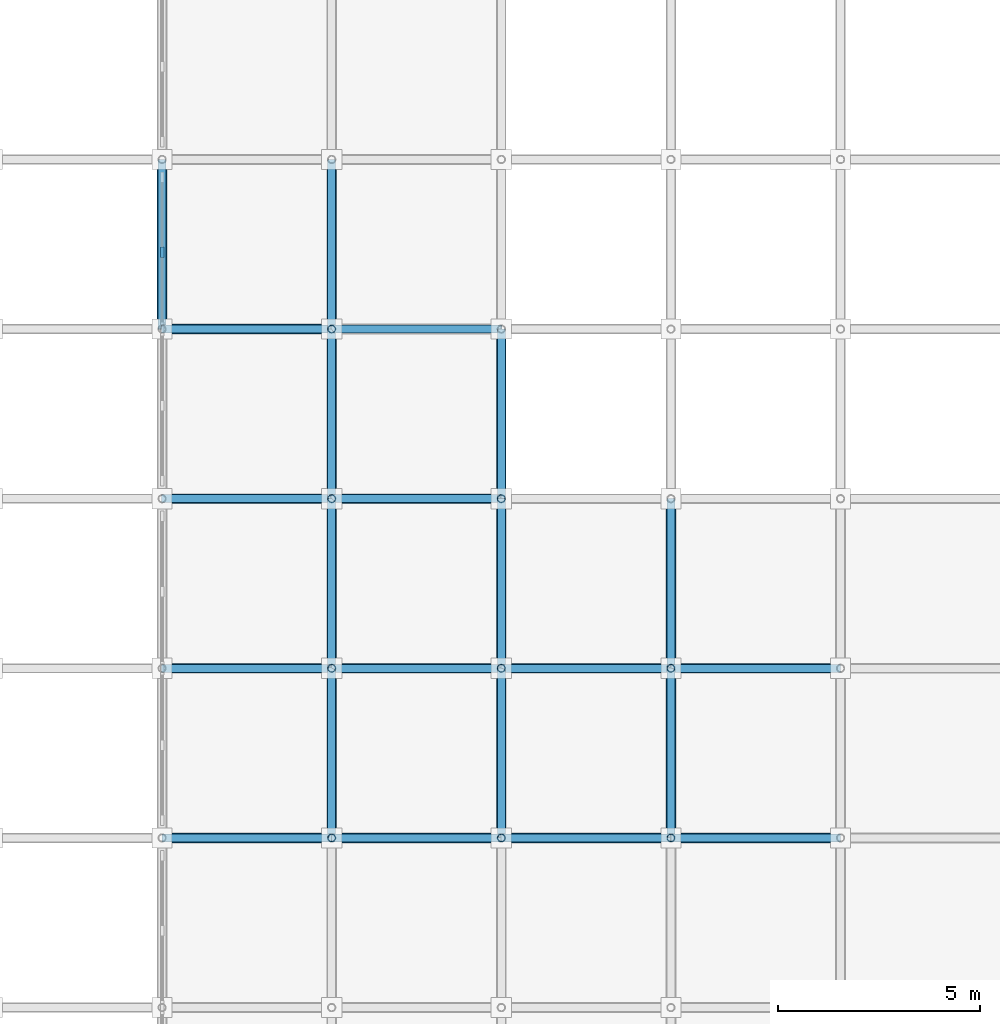
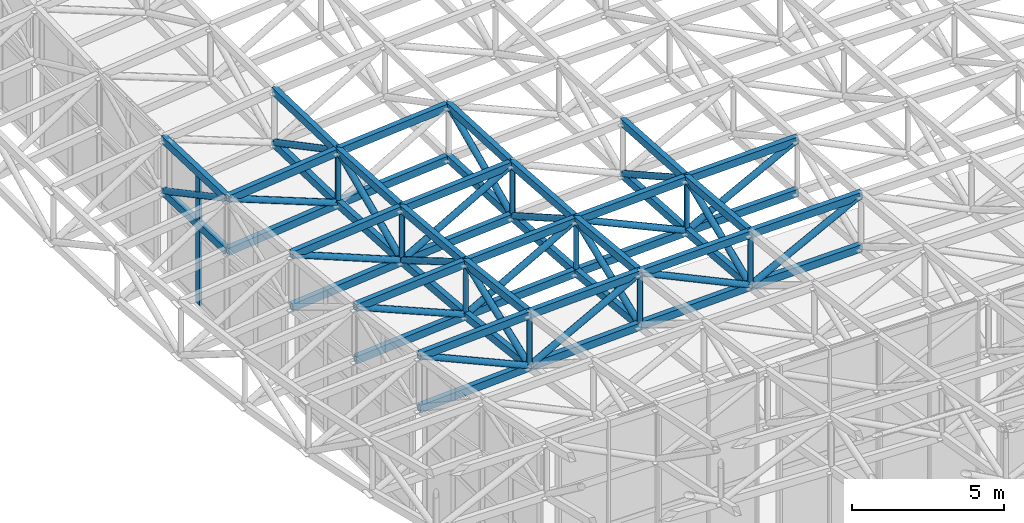
# One storey, part 30 of 123: 75 members, 1 element without a shape of its own.
"""IFC4 building model written with IfcOpenShell, lengths in metres."""

from ifc_helpers import new_model, si_unit, direction, frame, origin, origin_2d, place, context, subcontext, project, spatial, rectangle, hollow_rectangle, hollow_circle, extrude, material, material_profile, profile_set, type_object, element, aggregate, save


model = new_model("IFC4")

# Units and contexts
model_context = context("Model", 3, precision=1e-05, world=origin(), true_north=direction((0.0, 1.0)))
body_context = subcontext(model_context, "Body", "Model", "MODEL_VIEW")
ifc_project = project(units=[si_unit("LENGTHUNIT", "METRE"), si_unit("AREAUNIT", "SQUARE_METRE"), si_unit("VOLUMEUNIT", "CUBIC_METRE"), si_unit("PLANEANGLEUNIT", "RADIAN"), si_unit("MASSUNIT", "GRAM", prefix="KILO")], contexts=[model_context])

# Site, building, storey
site_placement = place(None, origin())
site = spatial("IfcSite", under=ifc_project, at=site_placement, CompositionType="ELEMENT")
building_placement = place(site_placement, origin())
building = spatial("IfcBuilding", under=site, at=building_placement, Name="Cumbredor Promenade Congress Hotel", CompositionType="ELEMENT")
storey_placement = place(building_placement, frame((0.0, 0.0, 11.760009765625)))
storey = spatial("IfcBuildingStorey", under=building, at=storey_placement, Name="L03", CompositionType="ELEMENT", Elevation=11.760009765625)

# Members
ifc_material_1 = material(Name="Steel ASTM A500 Grade C", Category="steel")
ifc_material_profile_1 = material_profile(ifc_material_1, hollow_rectangle(XDim=0.199951171875, YDim=0.300048828125, WallThickness=0.012451171875, at=origin_2d()), Name="HSS 300x200x12.5")
ifc_profile_set_1 = profile_set([ifc_material_profile_1], Name="Steel ASTM A500 Grade C")
member_type_1 = type_object("IfcMemberType", Name="Ballroom Roof Space Frame Chord", PredefinedType="CHORD", material=ifc_profile_set_1)
for number, where, z_axis, x_axis, name in (
    (1, (142.800048828125, 16.800048828125, 6.69189453125), (0.998569958899, 0.0, 0.05346061339), (0.0, 1.0, 0.0), "Grand Ballroom Pavilion X Top Chord 2.5"),
    (2, (142.800048828125, 16.800048828125, 4.592041015625), (0.998573055983, 0.0, 0.05340273275), (0.0, 1.0, 0.0), "Grand Ballroom Pavilion X Bottom Chord 2.5"),
):
    element("IfcMember", number, at=place(storey_placement, frame(where, z_axis=z_axis, x_axis=x_axis)), inside=storey, type_object=member_type_1, Name=name, PredefinedType="CHORD", context=body_context, shape_type="SweptSolid", body=[
        extrude(hollow_rectangle(XDim=0.199951171875, YDim=0.300048828125, WallThickness=0.012451171875, at=origin_2d()), origin(), (0.0, 0.0, 1.0), 4.2060546875),
    ])
for number, where, z_axis, x_axis, name in (
    (3, (147.0, 16.800048828125, 6.916748046875), (0.999137395956, 0.0, 0.041526666169), (0.0, 1.0, 0.0), "Grand Ballroom Pavilion X Top Chord 3.5"),
    (4, (147.0, 16.800048828125, 4.816650390625), (0.999137395956, 0.0, 0.041526666169), (0.0, 1.0, 0.0), "Grand Ballroom Pavilion X Bottom Chord 3.5"),
):
    element("IfcMember", number, at=place(storey_placement, frame(where, z_axis=z_axis, x_axis=x_axis)), inside=storey, type_object=member_type_1, Name=name, PredefinedType="CHORD", context=body_context, shape_type="SweptSolid", body=[
        extrude(hollow_rectangle(XDim=0.199951171875, YDim=0.300048828125, WallThickness=0.012451171875, at=origin_2d()), origin(), (0.0, 0.0, 1.0), 4.20361328125),
    ])
for number, where, z_axis, x_axis, name in (
    (5, (151.199951171875, 16.800048828125, 7.09130859375), (0.999560847032, 0.0, 0.029632972853), (0.0, 1.0, 0.0), "Grand Ballroom Pavilion X Top Chord 4.5"),
    (6, (151.199951171875, 16.800048828125, 4.9912109375), (0.999560847032, 0.0, 0.029632972853), (0.0, 1.0, 0.0), "Grand Ballroom Pavilion X Bottom Chord 4.5"),
):
    element("IfcMember", number, at=place(storey_placement, frame(where, z_axis=z_axis, x_axis=x_axis)), inside=storey, type_object=member_type_1, Name=name, PredefinedType="CHORD", context=body_context, shape_type="SweptSolid", body=[
        extrude(hollow_rectangle(XDim=0.199951171875, YDim=0.300048828125, WallThickness=0.012451171875, at=origin_2d()), origin(), (0.0, 0.0, 1.0), 4.201904296875),
    ])
for number, where, z_axis, x_axis, name in (
    (7, (155.39990234375, 16.800048828125, 7.2158203125), (0.999841856641, 0.0, 0.017783748438), (0.0, 1.0, 0.0), "Grand Ballroom Pavilion X Top Chord 5.5"),
    (8, (155.39990234375, 16.800048828125, 5.11572265625), (0.999840821583, 0.0, 0.017841846793), (0.0, 1.0, 0.0), "Grand Ballroom Pavilion X Bottom Chord 5.5"),
):
    element("IfcMember", number, at=place(storey_placement, frame(where, z_axis=z_axis, x_axis=x_axis)), inside=storey, type_object=member_type_1, Name=name, PredefinedType="CHORD", context=body_context, shape_type="SweptSolid", body=[
        extrude(hollow_rectangle(XDim=0.199951171875, YDim=0.300048828125, WallThickness=0.012451171875, at=origin_2d()), origin(), (0.0, 0.0, 1.0), 4.200927734375),
    ])
for number, where, z_axis, x_axis, name in (
    (9, (142.800048828125, 21.0, 6.106689453125), (0.997042541012, 0.0, 0.076851619449), (0.0, 1.0, 0.0), "Grand Ballroom Pavilion X Top Chord 2.6"),
    (10, (142.800048828125, 21.0, 4.006591796875), (0.997042541012, 0.0, 0.076851619449), (0.0, 1.0, 0.0), "Grand Ballroom Pavilion X Bottom Chord 2.6"),
):
    element("IfcMember", number, at=place(storey_placement, frame(where, z_axis=z_axis, x_axis=x_axis)), inside=storey, type_object=member_type_1, Name=name, PredefinedType="CHORD", context=body_context, shape_type="SweptSolid", body=[
        extrude(hollow_rectangle(XDim=0.199951171875, YDim=0.300048828125, WallThickness=0.012451171875, at=origin_2d()), origin(), (0.0, 0.0, 1.0), 4.21240234375),
    ])
for number, where, z_axis, x_axis, name in (
    (11, (147.0, 21.0, 6.430419921875), (0.998208936588, 0.0, 0.059824066362), (0.0, 1.0, 0.0), "Grand Ballroom Pavilion X Top Chord 3.6"),
    (12, (147.0, 21.0, 4.330322265625), (0.998205469834, 0.0, 0.059881883675), (0.0, 1.0, 0.0), "Grand Ballroom Pavilion X Bottom Chord 3.6"),
):
    element("IfcMember", number, at=place(storey_placement, frame(where, z_axis=z_axis, x_axis=x_axis)), inside=storey, type_object=member_type_1, Name=name, PredefinedType="CHORD", context=body_context, shape_type="SweptSolid", body=[
        extrude(hollow_rectangle(XDim=0.199951171875, YDim=0.300048828125, WallThickness=0.012451171875, at=origin_2d()), origin(), (0.0, 0.0, 1.0), 4.20751953125),
    ])
for number, where, z_axis, x_axis, name in (
    (13, (151.199951171875, 21.0, 6.68212890625), (0.999083570035, 0.0, 0.042802103768), (0.0, 1.0, 0.0), "Grand Ballroom Pavilion X Top Chord 4.6"),
    (14, (151.199951171875, 21.0, 4.582275390625), (0.999086051861, 0.0, 0.042744133824), (0.0, 1.0, 0.0), "Grand Ballroom Pavilion X Bottom Chord 4.6"),
):
    element("IfcMember", number, at=place(storey_placement, frame(where, z_axis=z_axis, x_axis=x_axis)), inside=storey, type_object=member_type_1, Name=name, PredefinedType="CHORD", context=body_context, shape_type="SweptSolid", body=[
        extrude(hollow_rectangle(XDim=0.199951171875, YDim=0.300048828125, WallThickness=0.012451171875, at=origin_2d()), origin(), (0.0, 0.0, 1.0), 4.203857421875),
    ])
for number, where, z_axis, x_axis, name in (
    (15, (155.39990234375, 21.0, 6.862060546875), (0.999670131577, 0.0, 0.025683224724), (0.0, 1.0, 0.0), "Grand Ballroom Pavilion X Top Chord 5.6"),
    (16, (155.39990234375, 21.0, 4.761962890625), (0.999670131577, 0.0, 0.025683224724), (0.0, 1.0, 0.0), "Grand Ballroom Pavilion X Bottom Chord 5.6"),
):
    element("IfcMember", number, at=place(storey_placement, frame(where, z_axis=z_axis, x_axis=x_axis)), inside=storey, type_object=member_type_1, Name=name, PredefinedType="CHORD", context=body_context, shape_type="SweptSolid", body=[
        extrude(hollow_rectangle(XDim=0.199951171875, YDim=0.300048828125, WallThickness=0.012451171875, at=origin_2d()), origin(), (0.0, 0.0, 1.0), 4.20166015625),
    ])
for number, where, z_axis, x_axis, name in (
    (17, (142.800048828125, 25.199951171875, 5.66748046875), (0.995535696454, 0.0, 0.094385788579), (0.0, 1.0, 0.0), "Grand Ballroom Pavilion X Top Chord 2.7"),
    (18, (142.800048828125, 25.199951171875, 3.5673828125), (0.995535696454, 0.0, 0.094385788579), (0.0, 1.0, 0.0), "Grand Ballroom Pavilion X Bottom Chord 2.7"),
):
    element("IfcMember", number, at=place(storey_placement, frame(where, z_axis=z_axis, x_axis=x_axis)), inside=storey, type_object=member_type_1, Name=name, PredefinedType="CHORD", context=body_context, shape_type="SweptSolid", body=[
        extrude(hollow_rectangle(XDim=0.199951171875, YDim=0.300048828125, WallThickness=0.012451171875, at=origin_2d()), origin(), (0.0, 0.0, 1.0), 4.21875),
    ])
for number, where, z_axis, x_axis, name in (
    (19, (147.0, 25.199951171875, 6.065673828125), (0.997290327023, 0.0, 0.073566321281), (0.0, 1.0, 0.0), "Grand Ballroom Pavilion X Top Chord 3.7"),
    (20, (147.0, 25.199951171875, 3.965576171875), (0.997290327023, 0.0, 0.073566321281), (0.0, 1.0, 0.0), "Grand Ballroom Pavilion X Bottom Chord 3.7"),
):
    element("IfcMember", number, at=place(storey_placement, frame(where, z_axis=z_axis, x_axis=x_axis)), inside=storey, type_object=member_type_1, Name=name, PredefinedType="CHORD", context=body_context, shape_type="SweptSolid", body=[
        extrude(hollow_rectangle(XDim=0.199951171875, YDim=0.300048828125, WallThickness=0.012451171875, at=origin_2d()), origin(), (0.0, 0.0, 1.0), 4.21142578125),
    ])
for number, where, z_axis, x_axis, name in (
    (21, (142.800048828125, 29.39990234375, 5.37451171875), (0.99435911927, 0.0, 0.106065743409), (0.0, 1.0, 0.0), "Grand Ballroom Pavilion X Top Chord 2.8"),
    (22, (142.800048828125, 29.39990234375, 3.274658203125), (0.99435911927, 0.0, 0.106065743409), (0.0, 1.0, 0.0), "Grand Ballroom Pavilion X Bottom Chord 2.8"),
):
    element("IfcMember", number, at=place(storey_placement, frame(where, z_axis=z_axis, x_axis=x_axis)), inside=storey, type_object=member_type_1, Name=name, PredefinedType="CHORD", context=body_context, shape_type="SweptSolid", body=[
        extrude(hollow_rectangle(XDim=0.199951171875, YDim=0.300048828125, WallThickness=0.012451171875, at=origin_2d()), origin(), (0.0, 0.0, 1.0), 4.223876953125),
    ])
for number, where, z_axis, x_axis, name in (
    (23, (147.0, 29.39990234375, 5.822509765625), (0.996577248371, 0.0, 0.082666728677), (0.0, 1.0, 0.0), "Grand Ballroom Pavilion X Top Chord 3.8"),
    (24, (147.0, 29.39990234375, 3.72265625), (0.996582019261, 0.0, 0.082609193714), (0.0, 1.0, 0.0), "Grand Ballroom Pavilion X Bottom Chord 3.8"),
):
    element("IfcMember", number, at=place(storey_placement, frame(where, z_axis=z_axis, x_axis=x_axis)), inside=storey, type_object=member_type_1, Name=name, PredefinedType="CHORD", context=body_context, shape_type="SweptSolid", body=[
        extrude(hollow_rectangle(XDim=0.199951171875, YDim=0.300048828125, WallThickness=0.012451171875, at=origin_2d()), origin(), (0.0, 0.0, 1.0), 4.21435546875),
    ])
for number, where, z_axis, x_axis, name in (
    (25, (142.800048828125, 29.39990234375, 5.37451171875), (0.0, 0.999394421925, -0.034796399601), (-1.0, 0.0, 0.0), "Grand Ballroom Pavilion Y Top Chord 2.8"),
    (26, (142.800048828125, 29.39990234375, 3.274658203125), (0.0, 0.999392400118, -0.034854419906), (-1.0, 0.0, 0.0), "Grand Ballroom Pavilion Y Bottom Chord 2.8"),
):
    element("IfcMember", number, at=place(storey_placement, frame(where, z_axis=z_axis, x_axis=x_axis)), inside=storey, type_object=member_type_1, Name=name, PredefinedType="CHORD", context=body_context, shape_type="SweptSolid", body=[
        extrude(hollow_rectangle(XDim=0.199951171875, YDim=0.300048828125, WallThickness=0.012451171875, at=origin_2d()), origin(), (0.0, 0.0, 1.0), 4.20263671875),
    ])
for number, where, z_axis, x_axis, name in (
    (27, (147.0, 16.800048828125, 6.916748046875), (0.0, 0.993362575752, -0.115025184613), (-1.0, 0.0, 0.0), "Grand Ballroom Pavilion Y Top Chord 3.5"),
    (28, (147.0, 16.800048828125, 4.816650390625), (0.0, 0.993362575752, -0.115025184613), (-1.0, 0.0, 0.0), "Grand Ballroom Pavilion Y Bottom Chord 3.5"),
):
    element("IfcMember", number, at=place(storey_placement, frame(where, z_axis=z_axis, x_axis=x_axis)), inside=storey, type_object=member_type_1, Name=name, PredefinedType="CHORD", context=body_context, shape_type="SweptSolid", body=[
        extrude(hollow_rectangle(XDim=0.199951171875, YDim=0.300048828125, WallThickness=0.012451171875, at=origin_2d()), origin(), (0.0, 0.0, 1.0), 4.22802734375),
    ])
for number, where, z_axis, x_axis, name in (
    (29, (147.0, 21.0, 6.430419921875), (0.0, 0.996250143488, -0.086519660197), (-1.0, 0.0, 0.0), "Grand Ballroom Pavilion Y Top Chord 3.6"),
    (30, (147.0, 21.0, 4.330322265625), (0.0, 0.996250143488, -0.086519660197), (-1.0, 0.0, 0.0), "Grand Ballroom Pavilion Y Bottom Chord 3.6"),
):
    element("IfcMember", number, at=place(storey_placement, frame(where, z_axis=z_axis, x_axis=x_axis)), inside=storey, type_object=member_type_1, Name=name, PredefinedType="CHORD", context=body_context, shape_type="SweptSolid", body=[
        extrude(hollow_rectangle(XDim=0.199951171875, YDim=0.300048828125, WallThickness=0.012451171875, at=origin_2d()), origin(), (0.0, 0.0, 1.0), 4.2158203125),
    ])
for number, where, z_axis, x_axis, name in (
    (31, (147.0, 25.199951171875, 6.065673828125), (0.0, 0.998328177583, -0.057800085152), (-1.0, 0.0, 0.0), "Grand Ballroom Pavilion Y Top Chord 3.7"),
    (32, (147.0, 25.199951171875, 3.965576171875), (0.0, 0.998331524578, -0.057742246524), (-1.0, 0.0, 0.0), "Grand Ballroom Pavilion Y Bottom Chord 3.7"),
):
    element("IfcMember", number, at=place(storey_placement, frame(where, z_axis=z_axis, x_axis=x_axis)), inside=storey, type_object=member_type_1, Name=name, PredefinedType="CHORD", context=body_context, shape_type="SweptSolid", body=[
        extrude(hollow_rectangle(XDim=0.199951171875, YDim=0.300048828125, WallThickness=0.012451171875, at=origin_2d()), origin(), (0.0, 0.0, 1.0), 4.20703125),
    ])
for number, where, z_axis, x_axis, name in (
    (33, (147.0, 29.39990234375, 5.822509765625), (0.0, 0.99958298451, -0.028876583545), (-1.0, 0.0, 0.0), "Grand Ballroom Pavilion Y Top Chord 3.8"),
    (34, (147.0, 29.39990234375, 3.72265625), (0.0, 0.999581305746, -0.028934636728), (-1.0, 0.0, 0.0), "Grand Ballroom Pavilion Y Bottom Chord 3.8"),
):
    element("IfcMember", number, at=place(storey_placement, frame(where, z_axis=z_axis, x_axis=x_axis)), inside=storey, type_object=member_type_1, Name=name, PredefinedType="CHORD", context=body_context, shape_type="SweptSolid", body=[
        extrude(hollow_rectangle(XDim=0.199951171875, YDim=0.300048828125, WallThickness=0.012451171875, at=origin_2d()), origin(), (0.0, 0.0, 1.0), 4.201904296875),
    ])
for number, where, z_axis, x_axis, name in (
    (35, (151.199951171875, 16.800048828125, 7.09130859375), (0.0, 0.995287716513, -0.09696577416), (-1.0, 0.0, 0.0), "Grand Ballroom Pavilion Y Top Chord 4.5"),
    (36, (151.199951171875, 16.800048828125, 4.9912109375), (0.0, 0.995293298459, -0.096908462182), (-1.0, 0.0, 0.0), "Grand Ballroom Pavilion Y Bottom Chord 4.5"),
):
    element("IfcMember", number, at=place(storey_placement, frame(where, z_axis=z_axis, x_axis=x_axis)), inside=storey, type_object=member_type_1, Name=name, PredefinedType="CHORD", context=body_context, shape_type="SweptSolid", body=[
        extrude(hollow_rectangle(XDim=0.199951171875, YDim=0.300048828125, WallThickness=0.012451171875, at=origin_2d()), origin(), (0.0, 0.0, 1.0), 4.2197265625),
    ])
for number, where, z_axis, x_axis, name in (
    (37, (151.199951171875, 21.0, 6.68212890625), (0.0, 0.997345340249, -0.072816703328), (-1.0, 0.0, 0.0), "Grand Ballroom Pavilion Y Top Chord 4.6"),
    (38, (151.199951171875, 21.0, 4.582275390625), (0.0, 0.997341128252, -0.072874370645), (-1.0, 0.0, 0.0), "Grand Ballroom Pavilion Y Bottom Chord 4.6"),
):
    element("IfcMember", number, at=place(storey_placement, frame(where, z_axis=z_axis, x_axis=x_axis)), inside=storey, type_object=member_type_1, Name=name, PredefinedType="CHORD", context=body_context, shape_type="SweptSolid", body=[
        extrude(hollow_rectangle(XDim=0.199951171875, YDim=0.300048828125, WallThickness=0.012451171875, at=origin_2d()), origin(), (0.0, 0.0, 1.0), 4.211181640625),
    ])
for number, where, z_axis, x_axis, name in (
    (39, (151.199951171875, 25.199951171875, 6.37548828125), (0.0, 0.998815656724, -0.048654741634), (-1.0, 0.0, 0.0), "Grand Ballroom Pavilion Y Top Chord 4.7"),
    (40, (151.199951171875, 25.199951171875, 4.275390625), (0.0, 0.998815656724, -0.048654741634), (-1.0, 0.0, 0.0), "Grand Ballroom Pavilion Y Bottom Chord 4.7"),
):
    element("IfcMember", number, at=place(storey_placement, frame(where, z_axis=z_axis, x_axis=x_axis)), inside=storey, type_object=member_type_1, Name=name, PredefinedType="CHORD", context=body_context, shape_type="SweptSolid", body=[
        extrude(hollow_rectangle(XDim=0.199951171875, YDim=0.300048828125, WallThickness=0.012451171875, at=origin_2d()), origin(), (0.0, 0.0, 1.0), 4.204833984375),
    ])
for number, where, z_axis, x_axis, name in (
    (41, (155.39990234375, 16.800048828125, 7.2158203125), (0.0, 0.996471460241, -0.083932287734), (-1.0, 0.0, 0.0), "Grand Ballroom Pavilion Y Top Chord 5.5"),
    (42, (155.39990234375, 16.800048828125, 5.11572265625), (0.0, 0.996471460241, -0.083932287734), (-1.0, 0.0, 0.0), "Grand Ballroom Pavilion Y Bottom Chord 5.5"),
):
    element("IfcMember", number, at=place(storey_placement, frame(where, z_axis=z_axis, x_axis=x_axis)), inside=storey, type_object=member_type_1, Name=name, PredefinedType="CHORD", context=body_context, shape_type="SweptSolid", body=[
        extrude(hollow_rectangle(XDim=0.199951171875, YDim=0.300048828125, WallThickness=0.012451171875, at=origin_2d()), origin(), (0.0, 0.0, 1.0), 4.21484375),
    ])
for number, where, z_axis, x_axis, name in (
    (43, (155.39990234375, 21.0, 6.862060546875), (0.0, 0.998009681271, -0.063060891911), (-1.0, 0.0, 0.0), "Grand Ballroom Pavilion Y Top Chord 5.6"),
    (44, (155.39990234375, 21.0, 4.761962890625), (0.0, 0.998009681271, -0.063060891911), (-1.0, 0.0, 0.0), "Grand Ballroom Pavilion Y Bottom Chord 5.6"),
):
    element("IfcMember", number, at=place(storey_placement, frame(where, z_axis=z_axis, x_axis=x_axis)), inside=storey, type_object=member_type_1, Name=name, PredefinedType="CHORD", context=body_context, shape_type="SweptSolid", body=[
        extrude(hollow_rectangle(XDim=0.199951171875, YDim=0.300048828125, WallThickness=0.012451171875, at=origin_2d()), origin(), (0.0, 0.0, 1.0), 4.208251953125),
    ])

# Curtain wall, member
ifc_material_2 = material(Name="Thermally broken anodized aluminium and low-E glass", Category="aluminium")
curtain_wall_type = type_object("IfcCurtainWallType", Name="Stepped Pavilion Clerestory Curtain Wall CW-06", PredefinedType="NOTDEFINED", material=ifc_material_2)
curtain_wall_placement = place(storey_placement, origin())
curtain_wall = element("IfcCurtainWall", 45, at=curtain_wall_placement, inside=storey, type_object=curtain_wall_type, Name="Grand Ballroom Pavilion W Glazed Clerestory 6", PredefinedType="NOTDEFINED")
ifc_material_3 = material(Name="Thermally broken anodized aluminium", Category="aluminium")
ifc_material_profile_2 = material_profile(ifc_material_3, rectangle(XDim=0.0849609375, YDim=0.260009765625, at=origin_2d()), Name="ALU MULLION CLERESTORY 85x260")
ifc_profile_set_2 = profile_set([ifc_material_profile_2], Name="Thermally broken anodized aluminium")
member_type_2 = type_object("IfcMemberType", Name="Curtain Wall Mullion ML-04", PredefinedType="MULLION", material=ifc_profile_set_2)
member_1_placement = place(storey_placement, frame((142.800048828125, 31.300048828125, -0.01806640625), z_axis=(0.0, 0.0, 1.0), x_axis=(1.0, 0.0, 0.0)))
member_1 = element("IfcMember", 46, at=member_1_placement, type_object=member_type_2, Name="Grand Ballroom Pavilion W Glazed Clerestory 6 Mullion 2", PredefinedType="MULLION", context=body_context, shape_type="SweptSolid", body=[
    extrude(rectangle(XDim=0.0849609375, YDim=0.260009765625, at=origin_2d()), origin(), (0.0, 0.0, 1.0), 5.42236328125),
])
aggregate(curtain_wall, [member_1])

# Members
ifc_material_profile_3 = material_profile(ifc_material_1, hollow_circle(Radius=0.122314453125, WallThickness=0.012451171875, at=origin_2d()), Name="CHS 244.5x12.5")
ifc_profile_set_3 = profile_set([ifc_material_profile_3], Name="Steel ASTM A500 Grade C")
member_type_3 = type_object("IfcMemberType", Name="Space Frame Web Diagonal D2", PredefinedType="BRACE", material=ifc_profile_set_3)
member_2_placement = place(storey_placement, frame((142.800048828125, 16.800048828125, 6.69189453125), z_axis=(0.913116358877, 0.0, -0.407699049732), x_axis=(0.0, 1.0, 0.0)))
element("IfcMember", 47, at=member_2_placement, inside=storey, type_object=member_type_3, Name="Grand Ballroom Pavilion X Web Diagonal 2.5", PredefinedType="BRACE", context=body_context, shape_type="SweptSolid", body=[
    extrude(hollow_circle(Radius=0.122314453125, WallThickness=0.012451171875, at=origin_2d()), origin(), (0.0, 0.0, 1.0), 4.599609375),
])
member_3_placement = place(storey_placement, frame((147.0, 16.800048828125, 4.816650390625), z_axis=(0.879319614814, 0.0, 0.47623210203), x_axis=(0.0, 1.0, 0.0)))
element("IfcMember", 48, at=member_3_placement, inside=storey, type_object=member_type_3, Name="Grand Ballroom Pavilion X Web Diagonal 3.5", PredefinedType="BRACE", context=body_context, shape_type="SweptSolid", body=[
    extrude(hollow_circle(Radius=0.122314453125, WallThickness=0.012451171875, at=origin_2d()), origin(), (0.0, 0.0, 1.0), 4.7763671875),
])
member_4_placement = place(storey_placement, frame((151.199951171875, 16.800048828125, 7.09130859375), z_axis=(0.904890214496, 0.0, -0.425645039569), x_axis=(0.0, 1.0, 0.0)))
element("IfcMember", 49, at=member_4_placement, inside=storey, type_object=member_type_3, Name="Grand Ballroom Pavilion X Web Diagonal 4.5", PredefinedType="BRACE", context=body_context, shape_type="SweptSolid", body=[
    extrude(hollow_circle(Radius=0.122314453125, WallThickness=0.012451171875, at=origin_2d()), origin(), (0.0, 0.0, 1.0), 4.641357421875),
])
member_5_placement = place(storey_placement, frame((155.39990234375, 16.800048828125, 5.11572265625), z_axis=(0.888020002283, 0.0, 0.459804823317), x_axis=(0.0, 1.0, 0.0)))
element("IfcMember", 50, at=member_5_placement, inside=storey, type_object=member_type_3, Name="Grand Ballroom Pavilion X Web Diagonal 5.5", PredefinedType="BRACE", context=body_context, shape_type="SweptSolid", body=[
    extrude(hollow_circle(Radius=0.122314453125, WallThickness=0.012451171875, at=origin_2d()), origin(), (0.0, 0.0, 1.0), 4.729736328125),
])
member_6_placement = place(storey_placement, frame((142.800048828125, 21.0, 6.106689453125), z_axis=(0.921009363818, 0.0, -0.389540436618), x_axis=(0.0, 1.0, 0.0)))
element("IfcMember", 51, at=member_6_placement, inside=storey, type_object=member_type_3, Name="Grand Ballroom Pavilion X Web Diagonal 2.6", PredefinedType="BRACE", context=body_context, shape_type="SweptSolid", body=[
    extrude(hollow_circle(Radius=0.122314453125, WallThickness=0.012451171875, at=origin_2d()), origin(), (0.0, 0.0, 1.0), 4.56005859375),
])
member_7_placement = place(storey_placement, frame((147.0, 21.0, 4.330322265625), z_axis=(0.872520718534, 0.0, 0.48857711339), x_axis=(0.0, 1.0, 0.0)))
element("IfcMember", 52, at=member_7_placement, inside=storey, type_object=member_type_3, Name="Grand Ballroom Pavilion X Web Diagonal 3.6", PredefinedType="BRACE", context=body_context, shape_type="SweptSolid", body=[
    extrude(hollow_circle(Radius=0.122314453125, WallThickness=0.012451171875, at=origin_2d()), origin(), (0.0, 0.0, 1.0), 4.8134765625),
])
member_8_placement = place(storey_placement, frame((151.199951171875, 21.0, 6.68212890625), z_axis=(0.909459054134, 0.0, -0.41579349304), x_axis=(0.0, 1.0, 0.0)))
element("IfcMember", 53, at=member_8_placement, inside=storey, type_object=member_type_3, Name="Grand Ballroom Pavilion X Web Diagonal 4.6", PredefinedType="BRACE", context=body_context, shape_type="SweptSolid", body=[
    extrude(hollow_circle(Radius=0.122314453125, WallThickness=0.012451171875, at=origin_2d()), origin(), (0.0, 0.0, 1.0), 4.6181640625),
])
member_9_placement = place(storey_placement, frame((155.39990234375, 21.0, 4.761962890625), z_axis=(0.885145791269, 0.0, 0.46531379541), x_axis=(0.0, 1.0, 0.0)))
element("IfcMember", 54, at=member_9_placement, inside=storey, type_object=member_type_3, Name="Grand Ballroom Pavilion X Web Diagonal 5.6", PredefinedType="BRACE", context=body_context, shape_type="SweptSolid", body=[
    extrude(hollow_circle(Radius=0.122314453125, WallThickness=0.012451171875, at=origin_2d()), origin(), (0.0, 0.0, 1.0), 4.7451171875),
])
member_10_placement = place(storey_placement, frame((142.800048828125, 25.199951171875, 5.66748046875), z_axis=(0.926799079223, 0.0, -0.3755575412), x_axis=(0.0, 1.0, 0.0)))
element("IfcMember", 55, at=member_10_placement, inside=storey, type_object=member_type_3, Name="Grand Ballroom Pavilion X Web Diagonal 2.7", PredefinedType="BRACE", context=body_context, shape_type="SweptSolid", body=[
    extrude(hollow_circle(Radius=0.122314453125, WallThickness=0.012451171875, at=origin_2d()), origin(), (0.0, 0.0, 1.0), 4.53173828125),
])
member_11_placement = place(storey_placement, frame((147.0, 25.199951171875, 3.965576171875), z_axis=(0.867357491971, 0.0, 0.497685624789), x_axis=(0.0, 1.0, 0.0)))
element("IfcMember", 56, at=member_11_placement, inside=storey, type_object=member_type_3, Name="Grand Ballroom Pavilion X Web Diagonal 3.7", PredefinedType="BRACE", context=body_context, shape_type="SweptSolid", body=[
    extrude(hollow_circle(Radius=0.122314453125, WallThickness=0.012451171875, at=origin_2d()), origin(), (0.0, 0.0, 1.0), 4.84228515625),
])
member_12_placement = place(storey_placement, frame((142.800048828125, 29.39990234375, 5.37451171875), z_axis=(0.930610057506, 0.0, -0.366012186775), x_axis=(0.0, 1.0, 0.0)))
element("IfcMember", 57, at=member_12_placement, inside=storey, type_object=member_type_3, Name="Grand Ballroom Pavilion X Web Diagonal 2.8", PredefinedType="BRACE", context=body_context, shape_type="SweptSolid", body=[
    extrude(hollow_circle(Radius=0.122314453125, WallThickness=0.012451171875, at=origin_2d()), origin(), (0.0, 0.0, 1.0), 4.51318359375),
])
member_13_placement = place(storey_placement, frame((142.800048828125, 29.39990234375, 5.37451171875), z_axis=(0.0, 0.881808932421, -0.471606834876), x_axis=(-1.0, 0.0, 0.0)))
element("IfcMember", 58, at=member_13_placement, inside=storey, type_object=member_type_3, Name="Grand Ballroom Pavilion Y Web Diagonal 2.8", PredefinedType="BRACE", context=body_context, shape_type="SweptSolid", body=[
    extrude(hollow_circle(Radius=0.122314453125, WallThickness=0.012451171875, at=origin_2d()), origin(), (0.0, 0.0, 1.0), 4.76318359375),
])
member_14_placement = place(storey_placement, frame((147.0, 16.800048828125, 4.816650390625), z_axis=(0.0, 0.933464427363, 0.358669991564), x_axis=(-1.0, 0.0, 0.0)))
element("IfcMember", 59, at=member_14_placement, inside=storey, type_object=member_type_3, Name="Grand Ballroom Pavilion Y Web Diagonal 3.5", PredefinedType="BRACE", context=body_context, shape_type="SweptSolid", body=[
    extrude(hollow_circle(Radius=0.122314453125, WallThickness=0.012451171875, at=origin_2d()), origin(), (0.0, 0.0, 1.0), 4.499267578125),
])
member_15_placement = place(storey_placement, frame((147.0, 21.0, 6.430419921875), z_axis=(0.0, 0.862446708153, -0.506147879179), x_axis=(-1.0, 0.0, 0.0)))
element("IfcMember", 60, at=member_15_placement, inside=storey, type_object=member_type_3, Name="Grand Ballroom Pavilion Y Web Diagonal 3.6", PredefinedType="BRACE", context=body_context, shape_type="SweptSolid", body=[
    extrude(hollow_circle(Radius=0.122314453125, WallThickness=0.012451171875, at=origin_2d()), origin(), (0.0, 0.0, 1.0), 4.869873046875),
])
member_16_placement = place(storey_placement, frame((147.0, 25.199951171875, 3.965576171875), z_axis=(0.0, 0.914594708736, 0.404371758103), x_axis=(-1.0, 0.0, 0.0)))
element("IfcMember", 61, at=member_16_placement, inside=storey, type_object=member_type_3, Name="Grand Ballroom Pavilion Y Web Diagonal 3.7", PredefinedType="BRACE", context=body_context, shape_type="SweptSolid", body=[
    extrude(hollow_circle(Radius=0.122314453125, WallThickness=0.012451171875, at=origin_2d()), origin(), (0.0, 0.0, 1.0), 4.592041015625),
])
member_17_placement = place(storey_placement, frame((147.0, 29.39990234375, 5.822509765625), z_axis=(0.0, 0.883979067577, -0.467526478486), x_axis=(-1.0, 0.0, 0.0)))
element("IfcMember", 62, at=member_17_placement, inside=storey, type_object=member_type_3, Name="Grand Ballroom Pavilion Y Web Diagonal 3.8", PredefinedType="BRACE", context=body_context, shape_type="SweptSolid", body=[
    extrude(hollow_circle(Radius=0.122314453125, WallThickness=0.012451171875, at=origin_2d()), origin(), (0.0, 0.0, 1.0), 4.75146484375),
])
member_18_placement = place(storey_placement, frame((151.199951171875, 16.800048828125, 4.9912109375), z_axis=(0.0, 0.927641334383, 0.37347229448), x_axis=(-1.0, 0.0, 0.0)))
element("IfcMember", 63, at=member_18_placement, inside=storey, type_object=member_type_3, Name="Grand Ballroom Pavilion Y Web Diagonal 4.5", PredefinedType="BRACE", context=body_context, shape_type="SweptSolid", body=[
    extrude(hollow_circle(Radius=0.122314453125, WallThickness=0.012451171875, at=origin_2d()), origin(), (0.0, 0.0, 1.0), 4.527587890625),
])
member_19_placement = place(storey_placement, frame((151.199951171875, 21.0, 6.68212890625), z_axis=(0.0, 0.867640381506, -0.497192285118), x_axis=(-1.0, 0.0, 0.0)))
element("IfcMember", 64, at=member_19_placement, inside=storey, type_object=member_type_3, Name="Grand Ballroom Pavilion Y Web Diagonal 4.6", PredefinedType="BRACE", context=body_context, shape_type="SweptSolid", body=[
    extrude(hollow_circle(Radius=0.122314453125, WallThickness=0.012451171875, at=origin_2d()), origin(), (0.0, 0.0, 1.0), 4.840576171875),
])
member_20_placement = place(storey_placement, frame((151.199951171875, 25.199951171875, 4.275390625), z_axis=(0.0, 0.911471867719, 0.411362412426), x_axis=(-1.0, 0.0, 0.0)))
element("IfcMember", 65, at=member_20_placement, inside=storey, type_object=member_type_3, Name="Grand Ballroom Pavilion Y Web Diagonal 4.7", PredefinedType="BRACE", context=body_context, shape_type="SweptSolid", body=[
    extrude(hollow_circle(Radius=0.122314453125, WallThickness=0.012451171875, at=origin_2d()), origin(), (0.0, 0.0, 1.0), 4.60791015625),
])
member_21_placement = place(storey_placement, frame((155.39990234375, 16.800048828125, 5.11572265625), z_axis=(0.0, 0.923360923051, 0.383933074614), x_axis=(-1.0, 0.0, 0.0)))
element("IfcMember", 66, at=member_21_placement, inside=storey, type_object=member_type_3, Name="Grand Ballroom Pavilion Y Web Diagonal 5.5", PredefinedType="BRACE", context=body_context, shape_type="SweptSolid", body=[
    extrude(hollow_circle(Radius=0.122314453125, WallThickness=0.012451171875, at=origin_2d()), origin(), (0.0, 0.0, 1.0), 4.548583984375),
])
member_22_placement = place(storey_placement, frame((155.39990234375, 21.0, 6.862060546875), z_axis=(0.0, 0.871308939309, -0.490734890017), x_axis=(-1.0, 0.0, 0.0)))
element("IfcMember", 67, at=member_22_placement, inside=storey, type_object=member_type_3, Name="Grand Ballroom Pavilion Y Web Diagonal 5.6", PredefinedType="BRACE", context=body_context, shape_type="SweptSolid", body=[
    extrude(hollow_circle(Radius=0.122314453125, WallThickness=0.012451171875, at=origin_2d()), origin(), (0.0, 0.0, 1.0), 4.8203125),
])
ifc_material_profile_4 = material_profile(ifc_material_1, hollow_circle(Radius=0.096923828125, WallThickness=0.010009765625, at=origin_2d()), Name="CHS 193.7x10")
ifc_profile_set_4 = profile_set([ifc_material_profile_4], Name="Steel ASTM A500 Grade C")
member_type_4 = type_object("IfcMemberType", Name="Space Frame Web Post P1", PredefinedType="BRACE", material=ifc_profile_set_4)
for number, where, z_axis, x_axis, name in (
    (68, (147.0, 16.800048828125, 4.816650390625), (0.0, 0.0, 1.0), (1.0, 0.0, 0.0), "Grand Ballroom Pavilion Space Frame Web Post 3.5"),
    (69, (147.0, 21.0, 4.330322265625), (0.0, 0.0, 1.0), (1.0, 0.0, 0.0), "Grand Ballroom Pavilion Space Frame Web Post 3.6"),
    (70, (147.0, 25.199951171875, 3.965576171875), (0.0, 0.0, 1.0), (1.0, 0.0, 0.0), "Grand Ballroom Pavilion Space Frame Web Post 3.7"),
):
    element("IfcMember", number, at=place(storey_placement, frame(where, z_axis=z_axis, x_axis=x_axis)), inside=storey, type_object=member_type_4, Name=name, PredefinedType="BRACE", context=body_context, shape_type="SweptSolid", body=[
        extrude(hollow_circle(Radius=0.096923828125, WallThickness=0.010009765625, at=origin_2d()), origin(), (0.0, 0.0, 1.0), 2.10009765625),
    ])
member_23_placement = place(storey_placement, frame((147.0, 29.39990234375, 3.72265625), z_axis=(0.0, 0.0, 1.0), x_axis=(1.0, 0.0, 0.0)))
element("IfcMember", 71, at=member_23_placement, inside=storey, type_object=member_type_4, Name="Grand Ballroom Pavilion Space Frame Web Post 3.8", PredefinedType="BRACE", context=body_context, shape_type="SweptSolid", body=[
    extrude(hollow_circle(Radius=0.096923828125, WallThickness=0.010009765625, at=origin_2d()), origin(), (0.0, 0.0, 1.0), 2.099853515625),
])
member_24_placement = place(storey_placement, frame((151.199951171875, 16.800048828125, 4.9912109375), z_axis=(0.0, 0.0, 1.0), x_axis=(1.0, 0.0, 0.0)))
element("IfcMember", 72, at=member_24_placement, inside=storey, type_object=member_type_4, Name="Grand Ballroom Pavilion Space Frame Web Post 4.5", PredefinedType="BRACE", context=body_context, shape_type="SweptSolid", body=[
    extrude(hollow_circle(Radius=0.096923828125, WallThickness=0.010009765625, at=origin_2d()), origin(), (0.0, 0.0, 1.0), 2.10009765625),
])
member_25_placement = place(storey_placement, frame((151.199951171875, 21.0, 4.582275390625), z_axis=(0.0, 0.0, 1.0), x_axis=(1.0, 0.0, 0.0)))
element("IfcMember", 73, at=member_25_placement, inside=storey, type_object=member_type_4, Name="Grand Ballroom Pavilion Space Frame Web Post 4.6", PredefinedType="BRACE", context=body_context, shape_type="SweptSolid", body=[
    extrude(hollow_circle(Radius=0.096923828125, WallThickness=0.010009765625, at=origin_2d()), origin(), (0.0, 0.0, 1.0), 2.099853515625),
])
for number, where, z_axis, x_axis, name in (
    (74, (151.199951171875, 25.199951171875, 4.275390625), (0.0, 0.0, 1.0), (1.0, 0.0, 0.0), "Grand Ballroom Pavilion Space Frame Web Post 4.7"),
    (75, (155.39990234375, 16.800048828125, 5.11572265625), (0.0, 0.0, 1.0), (1.0, 0.0, 0.0), "Grand Ballroom Pavilion Space Frame Web Post 5.5"),
    (76, (155.39990234375, 21.0, 4.761962890625), (0.0, 0.0, 1.0), (1.0, 0.0, 0.0), "Grand Ballroom Pavilion Space Frame Web Post 5.6"),
):
    element("IfcMember", number, at=place(storey_placement, frame(where, z_axis=z_axis, x_axis=x_axis)), inside=storey, type_object=member_type_4, Name=name, PredefinedType="BRACE", context=body_context, shape_type="SweptSolid", body=[
        extrude(hollow_circle(Radius=0.096923828125, WallThickness=0.010009765625, at=origin_2d()), origin(), (0.0, 0.0, 1.0), 2.10009765625),
    ])

save(model, "model.ifc")
